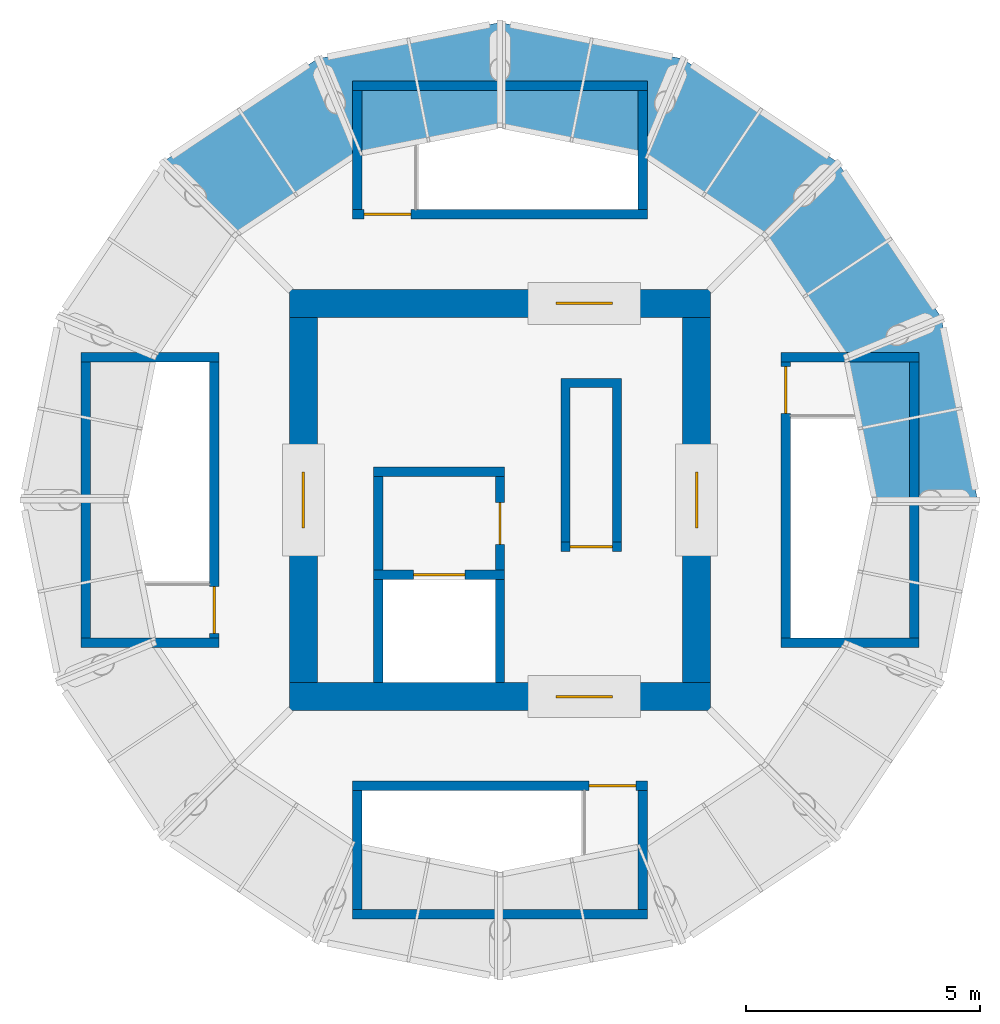
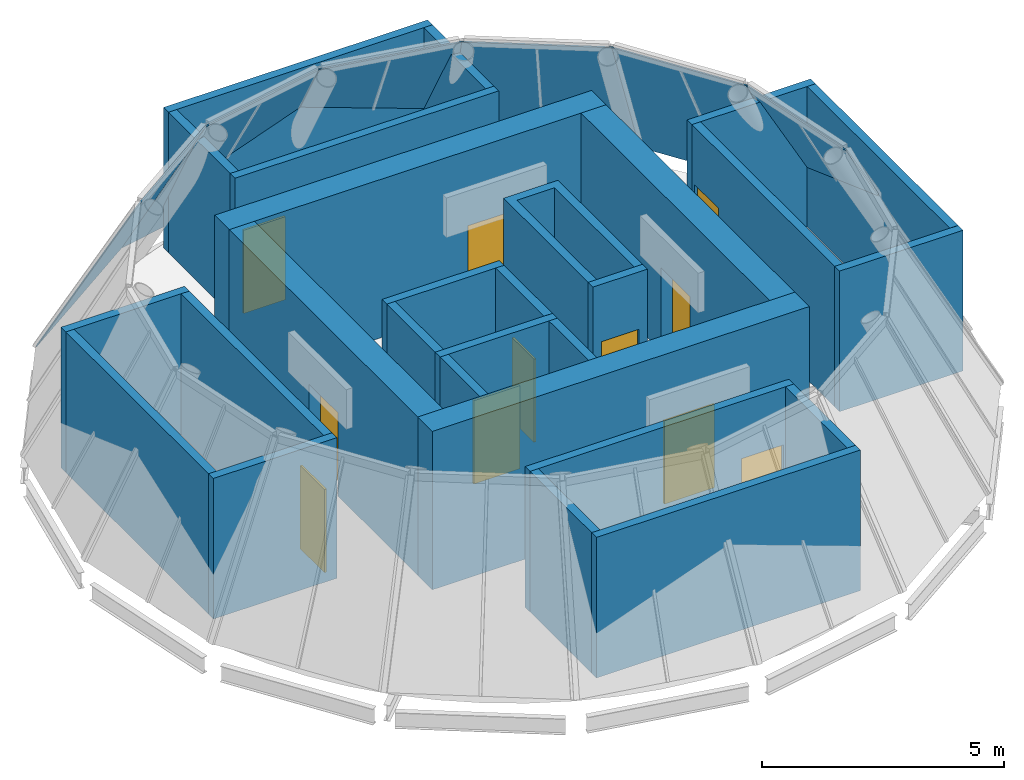
# One storey, part 3 of 4: 28 walls, 11 doors, 6 plates, 11 openings, 6 elements without a shape of their own.
"""IFC4 building model written with IfcOpenShell, lengths in metres."""

import ifcopenshell
import ifcopenshell.guid

model = None  # the IFC model being written
_history = None  # IfcOwnerHistory: only IFC2X3 demands one
_inside = {}  # id of a spatial element -> (the spatial element, [elements in it])
_under = {}  # id of a project, library or spatial element -> (it, [spatial elements below it])
_declared = {}  # id of a project -> (the project, [libraries it declares])
_typed = {}  # id of a type object -> (the type object, [elements of that type])
_made_of = {}  # id of a material, layer set ... -> (it, [elements and type objects made of it])


def new_model(schema):
    """Start an empty IFC model of exactly this schema.

    Asked for "IFC4X3", IfcOpenShell would pick the latest addendum, in which some entities
    have other attributes; the version numbers below select the first issue.
    IFC2X3 requires an IfcOwnerHistory on every rooted entity: one is made here for all.
    """
    global model, _history
    if schema == "IFC4X3":
        model = ifcopenshell.file(schema_version=(4, 3, 0, 0))
    else:
        model = ifcopenshell.file(schema=schema)
    _inside.clear()
    _under.clear()
    _declared.clear()
    _typed.clear()
    _made_of.clear()
    _history = None
    if model.schema == "IFC2X3":
        org = make("IfcOrganization", Name="unknown")
        user = make(
            "IfcPersonAndOrganization",
            ThePerson=make("IfcPerson", FamilyName="unknown"),
            TheOrganization=org,
        )
        app = make(
            "IfcApplication",
            ApplicationDeveloper=org,
            Version="unknown",
            ApplicationFullName="unknown",
            ApplicationIdentifier="unknown",
        )
        _history = make(
            "IfcOwnerHistory",
            OwningUser=user,
            OwningApplication=app,
            ChangeAction="ADDED",
            CreationDate=0,
        )
    return model


def make(cls, **values):
    """One entity of the class cls with the attributes given. An attribute that is None is left unset."""
    return model.create_entity(
        cls, **{name: value for name, value in values.items() if value is not None}
    )


def rooted(cls, **values):
    """An entity with a GlobalId (a new one), such as an element, a storey or a relation."""
    return make(cls, GlobalId=ifcopenshell.guid.new(), OwnerHistory=_history, **values)


def si_unit(unit_type, name, prefix=None):
    """IfcSIUnit, for example si_unit("LENGTHUNIT", "METRE", prefix="MILLI")."""
    return make("IfcSIUnit", UnitType=unit_type, Prefix=prefix, Name=name)


def assignment(units):
    """IfcUnitAssignment: the units of a project."""
    return None if units is None else make("IfcUnitAssignment", Units=units)


def point(xyz):
    """IfcCartesianPoint."""
    return None if xyz is None else make("IfcCartesianPoint", Coordinates=xyz)


def direction(xyz):
    """IfcDirection."""
    return None if xyz is None else make("IfcDirection", DirectionRatios=xyz)


def frame(location, z_axis=None, x_axis=None):
    """IfcAxis2Placement3D, a coordinate frame: its origin and axes. An axis left out is left unset."""
    return make(
        "IfcAxis2Placement3D",
        Location=point(location),
        Axis=direction(z_axis),
        RefDirection=direction(x_axis),
    )


def frame_2d(location, x_axis=None):
    """IfcAxis2Placement2D, a coordinate frame in the plane: its origin and x axis."""
    return make(
        "IfcAxis2Placement2D", Location=point(location), RefDirection=direction(x_axis)
    )


def origin():
    """The frame at (0, 0, 0) with its axes left unset."""
    return frame((0.0, 0.0, 0.0))


def place(relative_to, where):
    """IfcLocalPlacement: puts the frame where relative to a parent placement (None: the world)."""
    return make(
        "IfcLocalPlacement", PlacementRelTo=relative_to, RelativePlacement=where
    )


def context(
    kind, dimensions, precision=None, world=None, true_north=None, identifier=None
):
    """IfcGeometricRepresentationContext, for example the 3D "Model" context."""
    return make(
        "IfcGeometricRepresentationContext",
        ContextIdentifier=identifier,
        ContextType=kind,
        CoordinateSpaceDimension=dimensions,
        Precision=precision,
        WorldCoordinateSystem=world,
        TrueNorth=true_north,
    )


def subcontext(parent, identifier, kind, view, scale=None):
    """IfcGeometricRepresentationSubContext, for example "Body" below "Model"."""
    return make(
        "IfcGeometricRepresentationSubContext",
        ContextIdentifier=identifier,
        ContextType=kind,
        ParentContext=parent,
        TargetScale=scale,
        TargetView=view,
    )


def project(units=None, contexts=None):
    """IfcProject with its units and contexts."""
    return rooted(
        "IfcProject",
        Name="project",
        RepresentationContexts=contexts,
        UnitsInContext=assignment(units),
    )


def spatial(cls, under=None, at=None, **own):
    """A site, building, storey or space (cls), placed at a placement, below another one or the project."""
    s = rooted(cls, ObjectPlacement=at, **own)
    if under is not None:
        _under.setdefault(under.id(), (under, []))[1].append(s)
    return s


def polyline(points):
    """IfcPolyline through the points."""
    return make("IfcPolyline", Points=[point(p) for p in points])


def profile(cls, at=None, kind="AREA", **sizes):
    """A parametric profile (cls). Its sizes go by their IFC names, for example OverallWidth=200.0."""
    return make(cls, ProfileType=kind, Position=at, **sizes)


def rectangle(**sizes):
    """IfcRectangleProfileDef."""
    return profile("IfcRectangleProfileDef", **sizes)


def outline(outer, holes=None, kind="AREA"):
    """IfcArbitraryClosedProfileDef: a profile drawn as a closed curve; with holes, ...WithVoids."""
    if holes is None:
        return make("IfcArbitraryClosedProfileDef", ProfileType=kind, OuterCurve=outer)
    return make(
        "IfcArbitraryProfileDefWithVoids",
        ProfileType=kind,
        OuterCurve=outer,
        InnerCurves=holes,
    )


def extrude(swept, where, along, depth):
    """IfcExtrudedAreaSolid: the profile swept, set in the frame where, extruded along a direction by depth."""
    return make(
        "IfcExtrudedAreaSolid",
        SweptArea=swept,
        Position=where,
        ExtrudedDirection=direction(along),
        Depth=depth,
    )


def shape(context_of_items, identifier, shape_type, items):
    """IfcShapeRepresentation: the items that make up one representation, for example the "Body"."""
    return make(
        "IfcShapeRepresentation",
        ContextOfItems=context_of_items,
        RepresentationIdentifier=identifier,
        RepresentationType=shape_type,
        Items=items,
    )


def material(Name=None, Category=None):
    """IfcMaterial."""
    return make("IfcMaterial", Name=Name, Category=Category)


def layer(
    of_material, thickness, ventilated=None, Name=None, Category=None, Priority=None
):
    """IfcMaterialLayer: one layer of a wall or slab, of a material (None: an air gap)."""
    return make(
        "IfcMaterialLayer",
        Material=of_material,
        LayerThickness=thickness,
        IsVentilated=ventilated,
        Name=Name,
        Category=Category,
        Priority=Priority,
    )


def layer_set(layers, Name=None):
    """IfcMaterialLayerSet."""
    return make("IfcMaterialLayerSet", MaterialLayers=layers, LayerSetName=Name)


def made_of(thing, what):
    """Note that an element or type object is made of a material, layer set ...; save() writes the relation."""
    if what is not None:
        _made_of.setdefault(what.id(), (what, []))[1].append(thing)
    return thing


def type_object(cls, material=None, **own):
    """A type object (cls), such as IfcWallType, which elements share."""
    return made_of(rooted(cls, **own), material)


def element(
    cls,
    number,
    at=None,
    inside=None,
    cuts=None,
    type_object=None,
    material=None,
    context=None,
    identifier="Body",
    shape_type=None,
    held_by="IfcProductDefinitionShape",
    body=None,
    shapes=None,
    **own,
):
    """One element of the class cls, such as IfcWall. Its Tag is "e" and its number.

    at: its placement. inside: the storey or other place that contains it. cuts: it is an
    opening in that element (IfcRelVoidsElement). A single representation is given by context,
    identifier, shape_type and body (its items); several are given by shapes. held_by: the class
    of the entity that holds the representations. save() writes the other relations.
    """
    e = rooted(cls, Tag="e%d" % number, ObjectPlacement=at, **own)
    if body is not None:
        shapes = [shape(context, identifier, shape_type, body)]
    if shapes is not None:
        e.Representation = make(held_by, Representations=shapes)
    if inside is not None:
        _inside.setdefault(inside.id(), (inside, []))[1].append(e)
    if cuts is not None:
        rooted(
            "IfcRelVoidsElement", RelatingBuildingElement=cuts, RelatedOpeningElement=e
        )
    if type_object is not None:
        _typed.setdefault(type_object.id(), (type_object, []))[1].append(e)
    return made_of(e, material)


def fill(opening, filler):
    """IfcRelFillsElement: the door or window that sits in an opening."""
    return rooted(
        "IfcRelFillsElement",
        RelatingOpeningElement=opening,
        RelatedBuildingElement=filler,
    )


def aggregate(whole, parts):
    """IfcRelAggregates: a whole, such as a stair, and the parts it consists of."""
    return rooted("IfcRelAggregates", RelatingObject=whole, RelatedObjects=parts)


def save(model, path):
    """Write the relations noted so far, then the file.

    IfcRelAggregates (storeys below a building ...), IfcRelContainedInSpatialStructure (elements
    in a storey), IfcRelDefinesByType, IfcRelAssociatesMaterial and IfcRelDeclares: one each for
    every whole, place, type object, material and project.
    """
    for whole, parts in _under.values():
        aggregate(whole, parts)
    for where, things in _inside.values():
        rooted(
            "IfcRelContainedInSpatialStructure",
            RelatedElements=things,
            RelatingStructure=where,
        )
    for kind, things in _typed.values():
        rooted("IfcRelDefinesByType", RelatedObjects=things, RelatingType=kind)
    for what, things in _made_of.values():
        rooted("IfcRelAssociatesMaterial", RelatedObjects=things, RelatingMaterial=what)
    for by, libraries in _declared.values():
        rooted("IfcRelDeclares", RelatingContext=by, RelatedDefinitions=libraries)
    model.write(path)


model = new_model("IFC4")

# Units and contexts
model_context = context("Model", 3, precision=1e-05, world=origin(), true_north=direction((0.0, 1.0)))
body_context = subcontext(model_context, "Body", "Model", "MODEL_VIEW")
ifc_project = project(units=[si_unit("LENGTHUNIT", "METRE"), si_unit("AREAUNIT", "SQUARE_METRE"), si_unit("VOLUMEUNIT", "CUBIC_METRE"), si_unit("PLANEANGLEUNIT", "RADIAN"), si_unit("MASSUNIT", "GRAM", prefix="KILO")], contexts=[model_context])

# Site, building, storey
site_placement = place(None, origin())
site = spatial("IfcSite", under=ifc_project, at=site_placement, CompositionType="ELEMENT")
building_placement = place(site_placement, origin())
building = spatial("IfcBuilding", under=site, at=building_placement, Name="Corvane Civic Tower", CompositionType="ELEMENT")
storey_placement = place(building_placement, frame((0.0, 0.0, 406.5)))
storey = spatial("IfcBuildingStorey", under=building, at=storey_placement, Name="L96", CompositionType="ELEMENT", Elevation=406.5)

# Curtain wall, plate
ifc_material_1 = material(Name="Aluminium and glass", Category="aluminium")
curtain_wall_type = type_object("IfcCurtainWallType", Name="CROWN-CW-K-FACET", PredefinedType="NOTDEFINED", material=ifc_material_1)
curtain_wall_1_placement = place(storey_placement, origin())
curtain_wall_1 = element("IfcCurtainWall", 1, at=curtain_wall_1_placement, inside=storey, type_object=curtain_wall_type, Name="Glass cone facet 1 row 5", PredefinedType="NOTDEFINED")
ifc_material_2 = material(Name="Glass tinted low-e laminated", Category="glass")
ifc_layer_1 = layer(ifc_material_2, 0.030029296875)
ifc_layer_set_1 = layer_set([ifc_layer_1], Name="Glass tinted low-e laminated")
plate_type = type_object("IfcPlateType", Name="CROWN-CWK-PANEL-IGU30", PredefinedType="CURTAIN_PANEL", material=ifc_layer_set_1)
plate_1_placement = place(storey_placement, frame((0.0, 10.199951171875, 0.0), z_axis=(-0.171686323959, 0.863212451514, 0.474750534194), x_axis=(-0.980788753063, -0.195072862946, 2.756509e-06)))
plate_1 = element("IfcPlate", 2, at=plate_1_placement, type_object=plate_type, Name="Cone glass panel 1.5", PredefinedType="CURTAIN_PANEL", context=body_context, shape_type="SweptSolid", body=[
    extrude(outline(polyline([(0.0, 0.0), (3.9797808320644745, 5.551115123125783e-17), (3.55064682965125, 4.544821574634152), (0.42916179947677474, 4.544843815574974), (0.0, 0.0)])), origin(), (0.0, 0.0, -1.0), 0.030029296875),
])
aggregate(curtain_wall_1, [plate_1])

curtain_wall_2_placement = place(storey_placement, origin())
curtain_wall_2 = element("IfcCurtainWall", 3, at=curtain_wall_2_placement, inside=storey, type_object=curtain_wall_type, Name="Glass cone facet 2 row 5", PredefinedType="NOTDEFINED")
plate_2_placement = place(storey_placement, frame((-3.9033203125, 9.423583984375, 0.0), z_axis=(-0.488988427495, 0.731788126889, 0.47473830172), x_axis=(-0.831456929768, -0.555589213303, 1.628489e-06)))
plate_2 = element("IfcPlate", 4, at=plate_2_placement, type_object=plate_type, Name="Cone glass panel 2.5", PredefinedType="CURTAIN_PANEL", context=body_context, shape_type="SweptSolid", body=[
    extrude(outline(polyline([(0.0, 0.0), (3.9798678542374133, -1.1102230246251565e-16), (3.550581233787865, 4.54479205311269), (0.4293074677913615, 4.544805192275395), (0.0, 0.0)])), origin(), (0.0, 0.0, -1.0), 0.030029296875),
])
aggregate(curtain_wall_2, [plate_2])

curtain_wall_3_placement = place(storey_placement, origin())
curtain_wall_3 = element("IfcCurtainWall", 5, at=curtain_wall_3_placement, inside=storey, type_object=curtain_wall_type, Name="Glass cone facet 13 row 5", PredefinedType="NOTDEFINED")
plate_3_placement = place(storey_placement, frame((10.199951171875, 0.0, 0.0), z_axis=(0.863212451514, 0.171686323959, 0.474750534194), x_axis=(-0.195072862946, 0.980788753063, 2.756509e-06)))
plate_3 = element("IfcPlate", 6, at=plate_3_placement, type_object=plate_type, Name="Cone glass panel 13.5", PredefinedType="CURTAIN_PANEL", context=body_context, shape_type="SweptSolid", body=[
    extrude(outline(polyline([(0.0, 0.0), (3.9797808320644745, 5.551115123125783e-17), (3.55064682965125, 4.544821574634152), (0.42916179947677474, 4.544843815574974), (0.0, 0.0)])), origin(), (0.0, 0.0, -1.0), 0.030029296875),
])
aggregate(curtain_wall_3, [plate_3])

curtain_wall_4_placement = place(storey_placement, origin())
curtain_wall_4 = element("IfcCurtainWall", 7, at=curtain_wall_4_placement, inside=storey, type_object=curtain_wall_type, Name="Glass cone facet 14 row 5", PredefinedType="NOTDEFINED")
plate_4_placement = place(storey_placement, frame((9.423583984375, 3.9033203125, 0.0), z_axis=(0.731788126889, 0.488988427495, 0.47473830172), x_axis=(-0.555589213303, 0.831456929768, 1.628489e-06)))
plate_4 = element("IfcPlate", 8, at=plate_4_placement, type_object=plate_type, Name="Cone glass panel 14.5", PredefinedType="CURTAIN_PANEL", context=body_context, shape_type="SweptSolid", body=[
    extrude(outline(polyline([(0.0, 0.0), (3.9798678542374133, -1.1102230246251565e-16), (3.550581233787865, 4.54479205311269), (0.4293074677913615, 4.544805192275395), (0.0, 0.0)])), origin(), (0.0, 0.0, -1.0), 0.030029296875),
])
aggregate(curtain_wall_4, [plate_4])

curtain_wall_5_placement = place(storey_placement, origin())
curtain_wall_5 = element("IfcCurtainWall", 9, at=curtain_wall_5_placement, inside=storey, type_object=curtain_wall_type, Name="Glass cone facet 15 row 5", PredefinedType="NOTDEFINED")
plate_5_placement = place(storey_placement, frame((7.21240234375, 7.21240234375, 0.0), z_axis=(0.488986719081, 0.731770546437, 0.474767159701), x_axis=(-0.831452848154, 0.555595321517, 2.334333e-06)))
plate_5 = element("IfcPlate", 10, at=plate_5_placement, type_object=plate_type, Name="Cone glass panel 15.5", PredefinedType="CURTAIN_PANEL", context=body_context, shape_type="SweptSolid", body=[
    extrude(outline(polyline([(0.0, 0.0), (3.9798678542127224, 3.3306690738754696e-16), (3.5507633784730603, 4.544869588841189), (0.42915097789219697, 4.544888424207931), (0.0, 0.0)])), origin(), (0.0, 0.0, -1.0), 0.030029296875),
])
aggregate(curtain_wall_5, [plate_5])

curtain_wall_6_placement = place(storey_placement, origin())
curtain_wall_6 = element("IfcCurtainWall", 11, at=curtain_wall_6_placement, inside=storey, type_object=curtain_wall_type, Name="Glass cone facet 16 row 5", PredefinedType="NOTDEFINED")
plate_6_placement = place(storey_placement, frame((3.9033203125, 9.423583984375, 0.0), z_axis=(0.171686323959, 0.863212451514, 0.474750534194), x_axis=(-0.980788753063, 0.195072862946, -2.756509e-06)))
plate_6 = element("IfcPlate", 12, at=plate_6_placement, type_object=plate_type, Name="Cone glass panel 16.5", PredefinedType="CURTAIN_PANEL", context=body_context, shape_type="SweptSolid", body=[
    extrude(outline(polyline([(0.0, 0.0), (3.9797808320644745, -5.551115123125783e-17), (3.5506190325877, 4.544843815574974), (0.429134002413225, 4.544821574634152), (0.0, 0.0)])), origin(), (0.0, 0.0, -1.0), 0.030029296875),
])
aggregate(curtain_wall_6, [plate_6])

# Wall, opening, door
ifc_material_3 = material(Name="Concrete C40/50", Category="concrete")
ifc_layer_2 = layer(ifc_material_3, 0.60009765625)
ifc_layer_set_2 = layer_set([ifc_layer_2], Name="Concrete C40/50")
wall_type_1 = type_object("IfcWallType", Name="CORE WALL 600 C40/50", PredefinedType="SHEAR", material=ifc_layer_set_2)
wall_1_placement = place(storey_placement, frame((-4.5, 4.199951171875, 0.0), z_axis=(0.0, 0.0, 1.0), x_axis=(1.0, 0.0, 0.0)))
wall_1 = element("IfcWall", 13, at=wall_1_placement, inside=storey, type_object=wall_type_1, Name="W-L96-core-N", PredefinedType="SHEAR", context=body_context, shape_type="SweptSolid", body=[
    extrude(rectangle(XDim=9.0, YDim=0.60009765625, at=frame_2d((4.5, 0.0))), origin(), (0.0, 0.0, 1.0), 4.0),
])
opening_1_placement = place(wall_1_placement, frame((5.699951171875, 0.0, 0.0)))
opening_1 = element("IfcOpeningElement", 14, at=opening_1_placement, cuts=wall_1, Name="Opening L96.C08", PredefinedType="OPENING", context=body_context, shape_type="SweptSolid", body=[
    extrude(rectangle(XDim=1.199951171875, YDim=2.10009765625, at=frame_2d((0.60009765625, 1.050048828125))), frame((0.0, 0.31005859375, 0.0), z_axis=(0.0, -1.0, 0.0), x_axis=(1.0, 0.0, 0.0)), (0.0, 0.0, 1.0), 0.6201171875),
])
ifc_material_4 = material(Name="Steel fire door leaf", Category="steel")
door_type_1 = type_object("IfcDoorType", Name="CR-DOOR-CORE-1800", OperationType="DOUBLE_DOOR_SINGLE_SWING", PredefinedType="DOOR", material=ifc_material_4)
door_1_placement = place(opening_1_placement, origin())
door_1 = element("IfcDoor", 15, at=door_1_placement, inside=storey, type_object=door_type_1, Name="L96 door", OperationType="DOUBLE_DOOR_SINGLE_SWING", OverallHeight=2.10009765625, OverallWidth=1.199951171875, PredefinedType="DOOR", context=body_context, shape_type="SweptSolid", body=[
    extrude(rectangle(XDim=1.199951171875, YDim=2.10009765625, at=frame_2d((0.60009765625, 1.050048828125))), frame((0.0, 0.02490234375, 0.0), z_axis=(0.0, -1.0, 0.0), x_axis=(1.0, 0.0, 0.0)), (0.0, 0.0, 1.0), 0.050048828125),
])
fill(opening_1, door_1)

wall_2_placement = place(storey_placement, frame((4.199951171875, -3.89990234375, 0.0), z_axis=(0.0, 0.0, 1.0), x_axis=(0.0, 1.0, 0.0)))
wall_2 = element("IfcWall", 16, at=wall_2_placement, inside=storey, type_object=wall_type_1, Name="W-L96-core-E", PredefinedType="SHEAR", context=body_context, shape_type="SweptSolid", body=[
    extrude(rectangle(XDim=7.7998046875, YDim=0.60009765625, at=frame_2d((3.89990234375, 0.0))), origin(), (0.0, 0.0, 1.0), 4.0),
])
opening_2_placement = place(wall_2_placement, frame((3.300048828125, 0.0, 0.0)))
opening_2 = element("IfcOpeningElement", 17, at=opening_2_placement, cuts=wall_2, Name="Opening L96.C07", PredefinedType="OPENING", context=body_context, shape_type="SweptSolid", body=[
    extrude(rectangle(XDim=1.199951171875, YDim=2.10009765625, at=frame_2d((0.60009765625, 1.050048828125))), frame((0.0, 0.31005859375, 0.0), z_axis=(0.0, -1.0, 0.0), x_axis=(1.0, 0.0, 0.0)), (0.0, 0.0, 1.0), 0.6201171875),
])
door_2_placement = place(opening_2_placement, origin())
door_2 = element("IfcDoor", 18, at=door_2_placement, inside=storey, type_object=door_type_1, Name="L96 door", OperationType="DOUBLE_DOOR_SINGLE_SWING", OverallHeight=2.10009765625, OverallWidth=1.199951171875, PredefinedType="DOOR", context=body_context, shape_type="SweptSolid", body=[
    extrude(rectangle(XDim=1.199951171875, YDim=2.10009765625, at=frame_2d((0.60009765625, 1.050048828125))), frame((0.0, 0.02490234375, 0.0), z_axis=(0.0, -1.0, 0.0), x_axis=(1.0, 0.0, 0.0)), (0.0, 0.0, 1.0), 0.050048828125),
])
fill(opening_2, door_2)

wall_3_placement = place(storey_placement, frame((-4.5, -4.199951171875, 0.0), z_axis=(0.0, 0.0, 1.0), x_axis=(1.0, 0.0, 0.0)))
wall_3 = element("IfcWall", 19, at=wall_3_placement, inside=storey, type_object=wall_type_1, Name="W-L96-core-S", PredefinedType="SHEAR", context=body_context, shape_type="SweptSolid", body=[
    extrude(rectangle(XDim=9.0, YDim=0.60009765625, at=frame_2d((4.5, 0.0))), origin(), (0.0, 0.0, 1.0), 4.0),
])
opening_3_placement = place(wall_3_placement, frame((5.699951171875, 0.0, 0.0)))
opening_3 = element("IfcOpeningElement", 20, at=opening_3_placement, cuts=wall_3, Name="Opening L96.C10", PredefinedType="OPENING", context=body_context, shape_type="SweptSolid", body=[
    extrude(rectangle(XDim=1.199951171875, YDim=2.10009765625, at=frame_2d((0.60009765625, 1.050048828125))), frame((0.0, 0.31005859375, 0.0), z_axis=(0.0, -1.0, 0.0), x_axis=(1.0, 0.0, 0.0)), (0.0, 0.0, 1.0), 0.6201171875),
])
door_3_placement = place(opening_3_placement, origin())
door_3 = element("IfcDoor", 21, at=door_3_placement, inside=storey, type_object=door_type_1, Name="L96 door", OperationType="DOUBLE_DOOR_SINGLE_SWING", OverallHeight=2.10009765625, OverallWidth=1.199951171875, PredefinedType="DOOR", context=body_context, shape_type="SweptSolid", body=[
    extrude(rectangle(XDim=1.199951171875, YDim=2.10009765625, at=frame_2d((0.60009765625, 1.050048828125))), frame((0.0, 0.02490234375, 0.0), z_axis=(0.0, -1.0, 0.0), x_axis=(1.0, 0.0, 0.0)), (0.0, 0.0, 1.0), 0.050048828125),
])
fill(opening_3, door_3)

wall_4_placement = place(storey_placement, frame((-4.199951171875, -3.89990234375, 0.0), z_axis=(0.0, 0.0, 1.0), x_axis=(0.0, 1.0, 0.0)))
wall_4 = element("IfcWall", 22, at=wall_4_placement, inside=storey, type_object=wall_type_1, Name="W-L96-core-W", PredefinedType="SHEAR", context=body_context, shape_type="SweptSolid", body=[
    extrude(rectangle(XDim=7.7998046875, YDim=0.60009765625, at=frame_2d((3.89990234375, 0.0))), origin(), (0.0, 0.0, 1.0), 4.0),
])
opening_4_placement = place(wall_4_placement, frame((3.300048828125, 0.0, 0.0)))
opening_4 = element("IfcOpeningElement", 23, at=opening_4_placement, cuts=wall_4, Name="Opening L96.C09", PredefinedType="OPENING", context=body_context, shape_type="SweptSolid", body=[
    extrude(rectangle(XDim=1.199951171875, YDim=2.10009765625, at=frame_2d((0.60009765625, 1.050048828125))), frame((0.0, 0.31005859375, 0.0), z_axis=(0.0, -1.0, 0.0), x_axis=(1.0, 0.0, 0.0)), (0.0, 0.0, 1.0), 0.6201171875),
])
door_4_placement = place(opening_4_placement, origin())
door_4 = element("IfcDoor", 24, at=door_4_placement, inside=storey, type_object=door_type_1, Name="L96 door", OperationType="DOUBLE_DOOR_SINGLE_SWING", OverallHeight=2.10009765625, OverallWidth=1.199951171875, PredefinedType="DOOR", context=body_context, shape_type="SweptSolid", body=[
    extrude(rectangle(XDim=1.199951171875, YDim=2.10009765625, at=frame_2d((0.60009765625, 1.050048828125))), frame((0.0, 0.02490234375, 0.0), z_axis=(0.0, -1.0, 0.0), x_axis=(1.0, 0.0, 0.0)), (0.0, 0.0, 1.0), 0.050048828125),
])
fill(opening_4, door_4)

ifc_material_5 = material(Name="Concrete C30/37", Category="concrete")
ifc_layer_3 = layer(ifc_material_5, 0.199951171875)
ifc_layer_set_3 = layer_set([ifc_layer_3], Name="Concrete C30/37")
wall_type_2 = type_object("IfcWallType", Name="CR-WALL-200", PredefinedType="PARTITIONING", material=ifc_layer_set_3)
wall_5_placement = place(storey_placement, frame((-2.699951171875, -1.60009765625, 0.0), z_axis=(0.0, 0.0, 1.0), x_axis=(1.0, 0.0, 0.0)))
wall_5 = element("IfcWall", 25, at=wall_5_placement, inside=storey, type_object=wall_type_2, Name="L96 lift shaft wall", PredefinedType="PARTITIONING", context=body_context, shape_type="SweptSolid", body=[
    extrude(rectangle(XDim=2.800048828125, YDim=0.199951171875, at=frame_2d((1.39990234375, 0.0))), origin(), (0.0, 0.0, 1.0), 3.550048828125),
])
opening_5_placement = place(wall_5_placement, frame((0.85009765625, 0.0, 0.0)))
opening_5 = element("IfcOpeningElement", 26, at=opening_5_placement, cuts=wall_5, Name="Opening LD", PredefinedType="OPENING", context=body_context, shape_type="SweptSolid", body=[
    extrude(rectangle(XDim=1.10009765625, YDim=2.10009765625, at=frame_2d((0.550048828125, 1.050048828125))), frame((0.0, 0.10986328125, 0.0), z_axis=(0.0, -1.0, 0.0), x_axis=(1.0, 0.0, 0.0)), (0.0, 0.0, 1.0), 0.219970703125),
])
ifc_material_6 = material(Name="Stainless steel 316 door leaves", Category="steel")
door_type_2 = type_object("IfcDoorType", Name="LD", OperationType="DOUBLE_DOOR_SLIDING", PredefinedType="DOOR", material=ifc_material_6)
door_5_placement = place(opening_5_placement, origin())
door_5 = element("IfcDoor", 27, at=door_5_placement, inside=storey, type_object=door_type_2, Name="L96 landing door", OperationType="DOUBLE_DOOR_SLIDING", OverallHeight=2.10009765625, OverallWidth=1.10009765625, PredefinedType="DOOR", context=body_context, shape_type="SweptSolid", body=[
    extrude(rectangle(XDim=1.10009765625, YDim=2.10009765625, at=frame_2d((0.550048828125, 1.050048828125))), frame((0.0, 0.02490234375, 0.0), z_axis=(0.0, -1.0, 0.0), x_axis=(1.0, 0.0, 0.0)), (0.0, 0.0, 1.0), 0.050048828125),
])
fill(opening_5, door_5)

wall_6_placement = place(storey_placement, frame((1.300048828125, -1.0, 0.0), z_axis=(0.0, 0.0, 1.0), x_axis=(1.0, 0.0, 0.0)))
wall_6 = element("IfcWall", 28, at=wall_6_placement, inside=storey, type_object=wall_type_2, Name="L96 core partition wall", PredefinedType="PARTITIONING", context=body_context, shape_type="SweptSolid", body=[
    extrude(rectangle(XDim=1.300048828125, YDim=0.199951171875, at=frame_2d((0.64990234375, 0.0))), origin(), (0.0, 0.0, 1.0), 3.550048828125),
])
opening_6_placement = place(wall_6_placement, frame((0.199951171875, 0.0, 0.0)))
opening_6 = element("IfcOpeningElement", 29, at=opening_6_placement, cuts=wall_6, Name="Opening L96.C02", PredefinedType="OPENING", context=body_context, shape_type="SweptSolid", body=[
    extrude(rectangle(XDim=0.89990234375, YDim=2.10009765625, at=frame_2d((0.449951171875, 1.050048828125))), frame((0.0, 0.10986328125, 0.0), z_axis=(0.0, -1.0, 0.0), x_axis=(1.0, 0.0, 0.0)), (0.0, 0.0, 1.0), 0.219970703125),
])
ifc_material_7 = material(Name="Steel fire door leaf", Category="steel")
door_type_3 = type_object("IfcDoorType", Name="CR-DOOR-900", OperationType="SINGLE_SWING_LEFT", PredefinedType="DOOR", material=ifc_material_7)
door_6_placement = place(opening_6_placement, origin())
door_6 = element("IfcDoor", 30, at=door_6_placement, inside=storey, type_object=door_type_3, Name="L96 door", OperationType="SINGLE_SWING_LEFT", OverallHeight=2.10009765625, OverallWidth=0.89990234375, PredefinedType="DOOR", context=body_context, shape_type="SweptSolid", body=[
    extrude(rectangle(XDim=0.89990234375, YDim=2.10009765625, at=frame_2d((0.449951171875, 1.050048828125))), frame((0.0, 0.02490234375, 0.0), z_axis=(0.0, -1.0, 0.0), x_axis=(1.0, 0.0, 0.0)), (0.0, 0.0, 1.0), 0.050048828125),
])
fill(opening_6, door_6)

wall_7_placement = place(storey_placement, frame((0.0, -1.5, 0.0), z_axis=(0.0, 0.0, 1.0), x_axis=(0.0, 1.0, 0.0)))
wall_7 = element("IfcWall", 31, at=wall_7_placement, inside=storey, type_object=wall_type_2, Name="L96 core partition wall", PredefinedType="PARTITIONING", context=body_context, shape_type="SweptSolid", body=[
    extrude(rectangle(XDim=2.0, YDim=0.199951171875, at=frame_2d((1.0, 0.0))), origin(), (0.0, 0.0, 1.0), 3.550048828125),
])
opening_7_placement = place(wall_7_placement, frame((0.550048828125, 0.0, 0.0)))
opening_7 = element("IfcOpeningElement", 32, at=opening_7_placement, cuts=wall_7, Name="Opening L96.C01", PredefinedType="OPENING", context=body_context, shape_type="SweptSolid", body=[
    extrude(rectangle(XDim=0.89990234375, YDim=2.10009765625, at=frame_2d((0.449951171875, 1.050048828125))), frame((0.0, 0.10986328125, 0.0), z_axis=(0.0, -1.0, 0.0), x_axis=(1.0, 0.0, 0.0)), (0.0, 0.0, 1.0), 0.219970703125),
])
door_7_placement = place(opening_7_placement, origin())
door_7 = element("IfcDoor", 33, at=door_7_placement, inside=storey, type_object=door_type_3, Name="L96 door", OperationType="SINGLE_SWING_LEFT", OverallHeight=2.10009765625, OverallWidth=0.89990234375, PredefinedType="DOOR", context=body_context, shape_type="SweptSolid", body=[
    extrude(rectangle(XDim=0.89990234375, YDim=2.10009765625, at=frame_2d((0.449951171875, 1.050048828125))), frame((0.0, 0.02490234375, 0.0), z_axis=(0.0, -1.0, 0.0), x_axis=(1.0, 0.0, 0.0)), (0.0, 0.0, 1.0), 0.050048828125),
])
fill(opening_7, door_7)

# Walls
wall_8_placement = place(storey_placement, origin())
element("IfcWall", 34, at=wall_8_placement, inside=storey, type_object=wall_type_2, Name="L96 core partition wall", PredefinedType="PARTITIONING", context=body_context, shape_type="SweptSolid", body=[
    extrude(outline(polyline([(0.10009765625, 0.699951171875), (0.10009765625, 0.5), (-2.699951171875, 0.5), (-2.699951171875, 0.699951171875), (0.10009765625, 0.699951171875)])), origin(), (0.0, 0.0, 1.0), 3.550048828125),
])
wall_9_placement = place(storey_placement, origin())
element("IfcWall", 35, at=wall_9_placement, inside=storey, type_object=wall_type_2, Name="L96 core partition wall", PredefinedType="PARTITIONING", context=body_context, shape_type="SweptSolid", body=[
    extrude(outline(polyline([(-2.5, -1.5), (-2.699951171875, -1.5), (-2.699951171875, 0.5), (-2.5, 0.5), (-2.5, -1.5)])), origin(), (0.0, 0.0, 1.0), 3.550048828125),
])
wall_10_placement = place(storey_placement, origin())
element("IfcWall", 36, at=wall_10_placement, inside=storey, type_object=wall_type_2, Name="L96 core partition wall", PredefinedType="PARTITIONING", context=body_context, shape_type="SweptSolid", body=[
    extrude(outline(polyline([(-2.5, -3.89990234375), (-2.699951171875, -3.89990234375), (-2.699951171875, -1.699951171875), (-2.5, -1.699951171875), (-2.5, -3.89990234375)])), origin(), (0.0, 0.0, 1.0), 3.550048828125),
])
wall_11_placement = place(storey_placement, origin())
element("IfcWall", 37, at=wall_11_placement, inside=storey, type_object=wall_type_2, Name="L96 core partition wall", PredefinedType="PARTITIONING", context=body_context, shape_type="SweptSolid", body=[
    extrude(outline(polyline([(-0.10009765625, -3.89990234375), (-0.10009765625, -1.699951171875), (0.10009765625, -1.699951171875), (0.10009765625, -3.89990234375), (-0.10009765625, -3.89990234375)])), origin(), (0.0, 0.0, 1.0), 3.550048828125),
])
wall_12_placement = place(storey_placement, origin())
element("IfcWall", 38, at=wall_12_placement, inside=storey, type_object=wall_type_2, Name="L96 core partition wall", PredefinedType="PARTITIONING", context=body_context, shape_type="SweptSolid", body=[
    extrude(outline(polyline([(1.300048828125, -0.89990234375), (1.300048828125, 2.60009765625), (2.60009765625, 2.60009765625), (2.60009765625, -0.89990234375), (2.39990234375, -0.89990234375), (2.39990234375, 2.39990234375), (1.5, 2.39990234375), (1.5, -0.89990234375), (1.300048828125, -0.89990234375)])), origin(), (0.0, 0.0, 1.0), 3.550048828125),
])

# Wall, opening, door
ifc_material_8 = material(Name="Concrete C50/60", Category="concrete")
ifc_layer_4 = layer(ifc_material_8, 0.199951171875)
ifc_layer_set_4 = layer_set([ifc_layer_4], Name="Concrete C50/60")
wall_type_3 = type_object("IfcWallType", Name="ST-WALL-200", PredefinedType="SHEAR", material=ifc_layer_set_4)
wall_13_placement = place(storey_placement, frame((-3.14990234375, -6.10009765625, 0.0), z_axis=(0.0, 0.0, 1.0), x_axis=(1.0, 0.0, 0.0)))
wall_13 = element("IfcWall", 39, at=wall_13_placement, inside=storey, type_object=wall_type_3, Name="L96 stair enclosure wall", PredefinedType="SHEAR", context=body_context, shape_type="SweptSolid", body=[
    extrude(rectangle(XDim=6.2998046875, YDim=0.199951171875, at=frame_2d((3.14990234375, 0.0))), origin(), (0.0, 0.0, 1.0), 3.550048828125),
])
opening_8_placement = place(wall_13_placement, frame((5.050048828125, 0.0, 0.0)))
opening_8 = element("IfcOpeningElement", 40, at=opening_8_placement, cuts=wall_13, Name="Opening L96.C06", PredefinedType="OPENING", context=body_context, shape_type="SweptSolid", body=[
    extrude(rectangle(XDim=1.0, YDim=2.10009765625, at=frame_2d((0.5, 1.050048828125))), frame((0.0, 0.10986328125, 0.0), z_axis=(0.0, -1.0, 0.0), x_axis=(1.0, 0.0, 0.0)), (0.0, 0.0, 1.0), 0.219970703125),
])
ifc_material_9 = material(Name="Steel fire door leaf", Category="steel")
door_type_4 = type_object("IfcDoorType", Name="ST-DOOR-1000", OperationType="SINGLE_SWING_RIGHT", PredefinedType="DOOR", material=ifc_material_9)
door_8_placement = place(opening_8_placement, origin())
door_8 = element("IfcDoor", 41, at=door_8_placement, inside=storey, type_object=door_type_4, Name="L96 stair door", OperationType="SINGLE_SWING_RIGHT", OverallHeight=2.10009765625, OverallWidth=1.0, PredefinedType="DOOR", context=body_context, shape_type="SweptSolid", body=[
    extrude(rectangle(XDim=1.0, YDim=2.10009765625, at=frame_2d((0.5, 1.050048828125))), frame((0.0, 0.02490234375, 0.0), z_axis=(0.0, -1.0, 0.0), x_axis=(1.0, 0.0, 0.0)), (0.0, 0.0, 1.0), 0.050048828125),
])
fill(opening_8, door_8)

wall_14_placement = place(storey_placement, frame((-3.14990234375, 6.10009765625, 0.0), z_axis=(0.0, 0.0, 1.0), x_axis=(1.0, 0.0, 0.0)))
wall_14 = element("IfcWall", 42, at=wall_14_placement, inside=storey, type_object=wall_type_3, Name="L96 stair enclosure wall", PredefinedType="SHEAR", context=body_context, shape_type="SweptSolid", body=[
    extrude(rectangle(XDim=6.2998046875, YDim=0.199951171875, at=frame_2d((3.14990234375, 0.0))), origin(), (0.0, 0.0, 1.0), 3.550048828125),
])
opening_9_placement = place(wall_14_placement, frame((0.25, 0.0, 0.0)))
opening_9 = element("IfcOpeningElement", 43, at=opening_9_placement, cuts=wall_14, Name="Opening L96.C04", PredefinedType="OPENING", context=body_context, shape_type="SweptSolid", body=[
    extrude(rectangle(XDim=1.0, YDim=2.10009765625, at=frame_2d((0.5, 1.050048828125))), frame((0.0, 0.10986328125, 0.0), z_axis=(0.0, -1.0, 0.0), x_axis=(1.0, 0.0, 0.0)), (0.0, 0.0, 1.0), 0.219970703125),
])
door_9_placement = place(opening_9_placement, origin())
door_9 = element("IfcDoor", 44, at=door_9_placement, inside=storey, type_object=door_type_4, Name="L96 stair door", OperationType="SINGLE_SWING_RIGHT", OverallHeight=2.10009765625, OverallWidth=1.0, PredefinedType="DOOR", context=body_context, shape_type="SweptSolid", body=[
    extrude(rectangle(XDim=1.0, YDim=2.10009765625, at=frame_2d((0.5, 1.050048828125))), frame((0.0, 0.02490234375, 0.0), z_axis=(0.0, -1.0, 0.0), x_axis=(1.0, 0.0, 0.0)), (0.0, 0.0, 1.0), 0.050048828125),
])
fill(opening_9, door_9)

wall_15_placement = place(storey_placement, frame((-6.10009765625, -2.949951171875, 0.0), z_axis=(0.0, 0.0, 1.0), x_axis=(0.0, 1.0, 0.0)))
wall_15 = element("IfcWall", 45, at=wall_15_placement, inside=storey, type_object=wall_type_3, Name="L96 stair enclosure wall", PredefinedType="SHEAR", context=body_context, shape_type="SweptSolid", body=[
    extrude(rectangle(XDim=5.89990234375, YDim=0.199951171875, at=frame_2d((2.949951171875, 0.0))), origin(), (0.0, 0.0, 1.0), 3.550048828125),
])
opening_10_placement = place(wall_15_placement, frame((0.10009765625, 0.0, 0.0)))
opening_10 = element("IfcOpeningElement", 46, at=opening_10_placement, cuts=wall_15, Name="Opening L96.C05", PredefinedType="OPENING", context=body_context, shape_type="SweptSolid", body=[
    extrude(rectangle(XDim=1.0, YDim=2.10009765625, at=frame_2d((0.5, 1.050048828125))), frame((0.0, 0.10986328125, 0.0), z_axis=(0.0, -1.0, 0.0), x_axis=(1.0, 0.0, 0.0)), (0.0, 0.0, 1.0), 0.219970703125),
])
door_10_placement = place(opening_10_placement, origin())
door_10 = element("IfcDoor", 47, at=door_10_placement, inside=storey, type_object=door_type_4, Name="L96 stair door", OperationType="SINGLE_SWING_RIGHT", OverallHeight=2.10009765625, OverallWidth=1.0, PredefinedType="DOOR", context=body_context, shape_type="SweptSolid", body=[
    extrude(rectangle(XDim=1.0, YDim=2.10009765625, at=frame_2d((0.5, 1.050048828125))), frame((0.0, 0.02490234375, 0.0), z_axis=(0.0, -1.0, 0.0), x_axis=(1.0, 0.0, 0.0)), (0.0, 0.0, 1.0), 0.050048828125),
])
fill(opening_10, door_10)

wall_16_placement = place(storey_placement, frame((6.10009765625, -2.949951171875, 0.0), z_axis=(0.0, 0.0, 1.0), x_axis=(0.0, 1.0, 0.0)))
wall_16 = element("IfcWall", 48, at=wall_16_placement, inside=storey, type_object=wall_type_3, Name="L96 stair enclosure wall", PredefinedType="SHEAR", context=body_context, shape_type="SweptSolid", body=[
    extrude(rectangle(XDim=5.89990234375, YDim=0.199951171875, at=frame_2d((2.949951171875, 0.0))), origin(), (0.0, 0.0, 1.0), 3.550048828125),
])
opening_11_placement = place(wall_16_placement, frame((4.800048828125, 0.0, 0.0)))
opening_11 = element("IfcOpeningElement", 49, at=opening_11_placement, cuts=wall_16, Name="Opening L96.C03", PredefinedType="OPENING", context=body_context, shape_type="SweptSolid", body=[
    extrude(rectangle(XDim=1.0, YDim=2.10009765625, at=frame_2d((0.5, 1.050048828125))), frame((0.0, 0.10986328125, 0.0), z_axis=(0.0, -1.0, 0.0), x_axis=(1.0, 0.0, 0.0)), (0.0, 0.0, 1.0), 0.219970703125),
])
door_11_placement = place(opening_11_placement, origin())
door_11 = element("IfcDoor", 50, at=door_11_placement, inside=storey, type_object=door_type_4, Name="L96 stair door", OperationType="SINGLE_SWING_RIGHT", OverallHeight=2.10009765625, OverallWidth=1.0, PredefinedType="DOOR", context=body_context, shape_type="SweptSolid", body=[
    extrude(rectangle(XDim=1.0, YDim=2.10009765625, at=frame_2d((0.5, 1.050048828125))), frame((0.0, 0.02490234375, 0.0), z_axis=(0.0, -1.0, 0.0), x_axis=(1.0, 0.0, 0.0)), (0.0, 0.0, 1.0), 0.050048828125),
])
fill(opening_11, door_11)

# Walls
wall_17_placement = place(storey_placement, origin())
element("IfcWall", 51, at=wall_17_placement, inside=storey, type_object=wall_type_3, Name="L96 stair enclosure wall", PredefinedType="SHEAR", context=body_context, shape_type="SweptSolid", body=[
    extrude(outline(polyline([(3.14990234375, -8.75), (3.14990234375, -8.949951171875), (-3.14990234375, -8.949951171875), (-3.14990234375, -8.75), (3.14990234375, -8.75)])), origin(), (0.0, 0.0, 1.0), 3.550048828125),
])
wall_18_placement = place(storey_placement, origin())
element("IfcWall", 52, at=wall_18_placement, inside=storey, type_object=wall_type_3, Name="L96 stair enclosure wall", PredefinedType="SHEAR", context=body_context, shape_type="SweptSolid", body=[
    extrude(outline(polyline([(3.14990234375, 8.75), (-3.14990234375, 8.75), (-3.14990234375, 8.949951171875), (3.14990234375, 8.949951171875), (3.14990234375, 8.75)])), origin(), (0.0, 0.0, 1.0), 3.550048828125),
])
wall_19_placement = place(storey_placement, origin())
element("IfcWall", 53, at=wall_19_placement, inside=storey, type_object=wall_type_3, Name="L96 stair enclosure wall", PredefinedType="SHEAR", context=body_context, shape_type="SweptSolid", body=[
    extrude(outline(polyline([(-8.75, 2.949951171875), (-8.75, -2.949951171875), (-8.949951171875, -2.949951171875), (-8.949951171875, 2.949951171875), (-8.75, 2.949951171875)])), origin(), (0.0, 0.0, 1.0), 3.550048828125),
])
wall_20_placement = place(storey_placement, origin())
element("IfcWall", 54, at=wall_20_placement, inside=storey, type_object=wall_type_3, Name="L96 stair enclosure wall", PredefinedType="SHEAR", context=body_context, shape_type="SweptSolid", body=[
    extrude(outline(polyline([(8.949951171875, 2.949951171875), (8.949951171875, -2.949951171875), (8.75, -2.949951171875), (8.75, 2.949951171875), (8.949951171875, 2.949951171875)])), origin(), (0.0, 0.0, 1.0), 3.550048828125),
])
wall_21_placement = place(storey_placement, origin())
element("IfcWall", 55, at=wall_21_placement, inside=storey, type_object=wall_type_3, Name="L96 stair enclosure wall", PredefinedType="SHEAR", context=body_context, shape_type="SweptSolid", body=[
    extrude(outline(polyline([(-6.0, -3.14990234375), (-8.949951171875, -3.14990234375), (-8.949951171875, -2.9501953125), (-6.0, -2.949951171875), (-6.0, -3.14990234375)])), origin(), (0.0, 0.0, 1.0), 3.550048828125),
])
wall_22_placement = place(storey_placement, origin())
element("IfcWall", 56, at=wall_22_placement, inside=storey, type_object=wall_type_3, Name="L96 stair enclosure wall", PredefinedType="SHEAR", context=body_context, shape_type="SweptSolid", body=[
    extrude(outline(polyline([(-6.0, 2.949951171875), (-8.949951171875, 2.9501953125), (-8.949951171875, 3.14990234375), (-6.0, 3.14990234375), (-6.0, 2.949951171875)])), origin(), (0.0, 0.0, 1.0), 3.550048828125),
])
wall_23_placement = place(storey_placement, origin())
element("IfcWall", 57, at=wall_23_placement, inside=storey, type_object=wall_type_3, Name="L96 stair enclosure wall", PredefinedType="SHEAR", context=body_context, shape_type="SweptSolid", body=[
    extrude(outline(polyline([(8.949951171875, -3.14990234375), (6.0, -3.14990234375), (6.0, -2.949951171875), (8.949951171875, -2.9501953125), (8.949951171875, -3.14990234375)])), origin(), (0.0, 0.0, 1.0), 3.550048828125),
])
wall_24_placement = place(storey_placement, origin())
element("IfcWall", 58, at=wall_24_placement, inside=storey, type_object=wall_type_3, Name="L96 stair enclosure wall", PredefinedType="SHEAR", context=body_context, shape_type="SweptSolid", body=[
    extrude(outline(polyline([(8.949951171875, 2.9501953125), (6.0, 2.949951171875), (6.0, 3.14990234375), (8.949951171875, 3.14990234375), (8.949951171875, 2.9501953125)])), origin(), (0.0, 0.0, 1.0), 3.550048828125),
])
wall_25_placement = place(storey_placement, origin())
element("IfcWall", 59, at=wall_25_placement, inside=storey, type_object=wall_type_3, Name="L96 stair enclosure wall", PredefinedType="SHEAR", context=body_context, shape_type="SweptSolid", body=[
    extrude(outline(polyline([(-2.949951171875, -6.199951171875), (-2.949951171875, -8.75), (-3.14990234375, -8.75), (-3.14990234375, -6.199951171875), (-2.949951171875, -6.199951171875)])), origin(), (0.0, 0.0, 1.0), 3.550048828125),
])
wall_26_placement = place(storey_placement, origin())
element("IfcWall", 60, at=wall_26_placement, inside=storey, type_object=wall_type_3, Name="L96 stair enclosure wall", PredefinedType="SHEAR", context=body_context, shape_type="SweptSolid", body=[
    extrude(outline(polyline([(-2.949951171875, 6.199951171875), (-3.14990234375, 6.199951171875), (-3.14990234375, 8.75), (-2.949951171875, 8.75), (-2.949951171875, 6.199951171875)])), origin(), (0.0, 0.0, 1.0), 3.550048828125),
])
wall_27_placement = place(storey_placement, origin())
element("IfcWall", 61, at=wall_27_placement, inside=storey, type_object=wall_type_3, Name="L96 stair enclosure wall", PredefinedType="SHEAR", context=body_context, shape_type="SweptSolid", body=[
    extrude(outline(polyline([(3.14990234375, -6.199951171875), (3.14990234375, -8.75), (2.949951171875, -8.75), (2.949951171875, -6.199951171875), (3.14990234375, -6.199951171875)])), origin(), (0.0, 0.0, 1.0), 3.550048828125),
])
wall_28_placement = place(storey_placement, origin())
element("IfcWall", 62, at=wall_28_placement, inside=storey, type_object=wall_type_3, Name="L96 stair enclosure wall", PredefinedType="SHEAR", context=body_context, shape_type="SweptSolid", body=[
    extrude(outline(polyline([(3.14990234375, 6.199951171875), (2.949951171875, 6.199951171875), (2.949951171875, 8.75), (3.14990234375, 8.75), (3.14990234375, 6.199951171875)])), origin(), (0.0, 0.0, 1.0), 3.550048828125),
])

save(model, "model.ifc")
